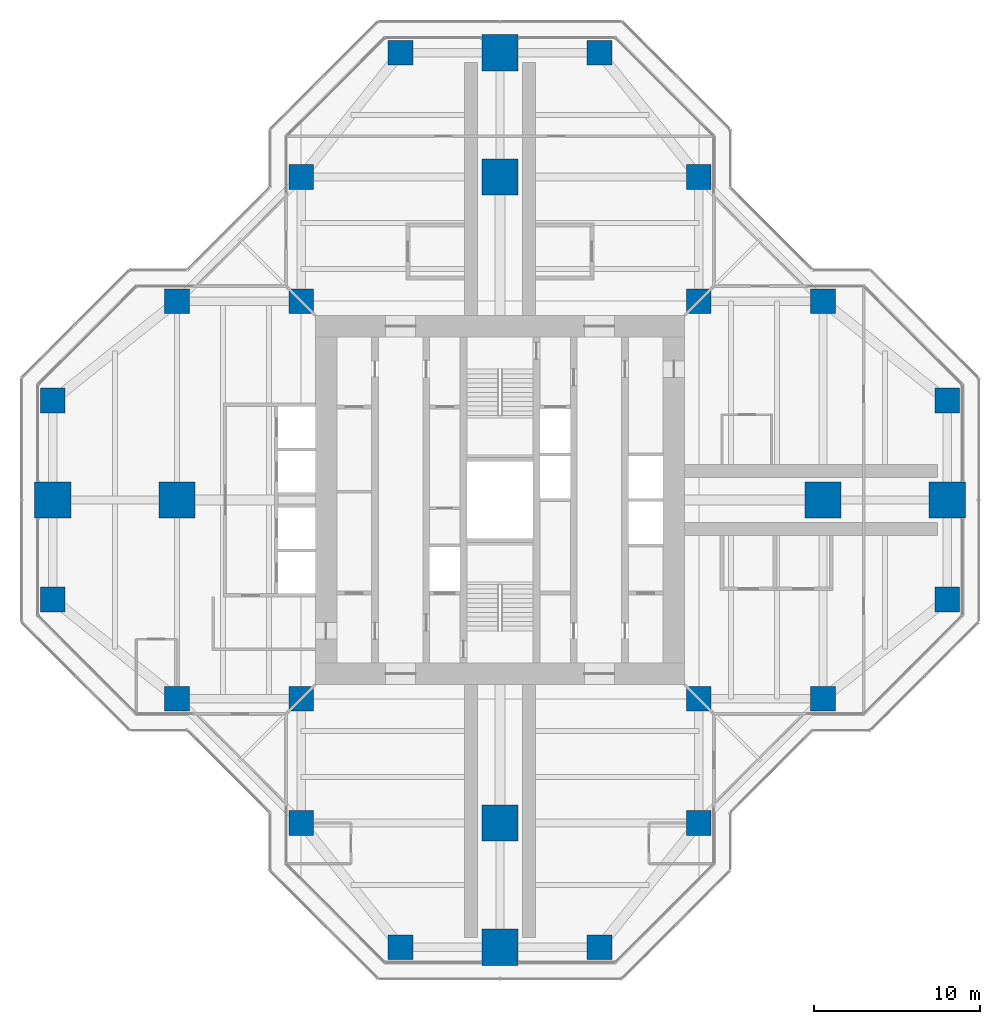
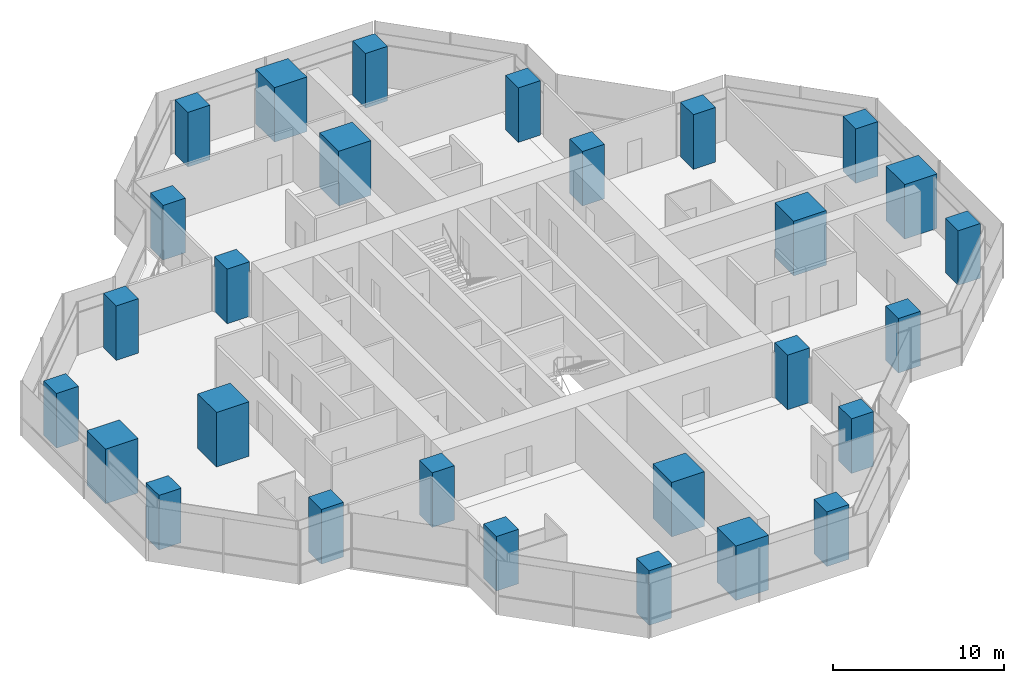
# One storey, part 1 of 17: 28 columns.
"""IFC4 building model written with IfcOpenShell, lengths in metres."""

from ifc_helpers import new_model, si_unit, direction, frame, origin, origin_2d, place, context, subcontext, project, spatial, rectangle, extrude, material, material_profile, profile_set, type_object, element, save


model = new_model("IFC4")

# Units and contexts
model_context = context("Model", 3, precision=1e-05, world=origin(), true_north=direction((0.0, 1.0)))
body_context = subcontext(model_context, "Body", "Model", "MODEL_VIEW")
ifc_project = project(units=[si_unit("LENGTHUNIT", "METRE"), si_unit("AREAUNIT", "SQUARE_METRE"), si_unit("VOLUMEUNIT", "CUBIC_METRE"), si_unit("PLANEANGLEUNIT", "RADIAN"), si_unit("MASSUNIT", "GRAM", prefix="KILO")], contexts=[model_context])

# Site, building, storey
site_placement = place(None, origin())
site = spatial("IfcSite", under=ifc_project, at=site_placement, CompositionType="ELEMENT")
building_placement = place(site_placement, origin())
building = spatial("IfcBuilding", under=site, at=building_placement, Name="Mizan Broadcast Tower", CompositionType="ELEMENT")
storey_placement = place(building_placement, frame((0.0, 0.0, 236.10009765625)))
storey = spatial("IfcBuildingStorey", under=building, at=storey_placement, Name="L55", CompositionType="ELEMENT", Elevation=236.10009765625)

# Columns
ifc_material_1 = material(Name="Concrete C70/85", Category="concrete")
ifc_material_profile_1 = material_profile(ifc_material_1, rectangle(XDim=1.5, YDim=1.5, at=origin_2d()), Name="RC 1500x1500")
ifc_profile_set_1 = profile_set([ifc_material_profile_1], Name="Concrete C70/85")
column_type_1 = type_object("IfcColumnType", Name="RC COLUMN 1500x1500 C70/85", PredefinedType="COLUMN", material=ifc_profile_set_1)
for number, where, z_axis, x_axis, name in (
    (1, (-6.0, -27.0, 0.0), (0.0, 0.0, 1.0), (1.0, 0.0, 0.0), "Column 5/B L55"),
    (2, (6.0, -27.0, 0.0), (0.0, 0.0, 1.0), (1.0, 0.0, 0.0), "Column 7/B L55"),
    (3, (-12.0, -19.5, 0.0), (0.0, 0.0, 1.0), (1.0, 0.0, 0.0), "Column 4/C L55"),
    (4, (12.0, -19.5, 0.0), (0.0, 0.0, 1.0), (1.0, 0.0, 0.0), "Column 8/C L55"),
    (5, (-19.5, -12.0, 0.0), (0.0, 0.0, 1.0), (1.0, 0.0, 0.0), "Column 3/D L55"),
    (6, (-12.0, -12.0, 0.0), (0.0, 0.0, 1.0), (1.0, 0.0, 0.0), "Column 4/D L55"),
    (7, (12.0, -12.0, 0.0), (0.0, 0.0, 1.0), (1.0, 0.0, 0.0), "Column 8/D L55"),
    (8, (19.5, -12.0, 0.0), (0.0, 0.0, 1.0), (1.0, 0.0, 0.0), "Column 9/D L55"),
    (9, (-27.0, -6.0, 0.0), (0.0, 0.0, 1.0), (1.0, 0.0, 0.0), "Column 2/E L55"),
    (10, (27.0, -6.0, 0.0), (0.0, 0.0, 1.0), (1.0, 0.0, 0.0), "Column 10/E L55"),
    (11, (-27.0, 6.0, 0.0), (0.0, 0.0, 1.0), (1.0, 0.0, 0.0), "Column 2/G L55"),
    (12, (27.0, 6.0, 0.0), (0.0, 0.0, 1.0), (1.0, 0.0, 0.0), "Column 10/G L55"),
    (13, (-19.5, 12.0, 0.0), (0.0, 0.0, 1.0), (1.0, 0.0, 0.0), "Column 3/H L55"),
    (14, (-12.0, 12.0, 0.0), (0.0, 0.0, 1.0), (1.0, 0.0, 0.0), "Column 4/H L55"),
    (15, (12.0, 12.0, 0.0), (0.0, 0.0, 1.0), (1.0, 0.0, 0.0), "Column 8/H L55"),
    (16, (19.5, 12.0, 0.0), (0.0, 0.0, 1.0), (1.0, 0.0, 0.0), "Column 9/H L55"),
    (17, (-12.0, 19.5, 0.0), (0.0, 0.0, 1.0), (1.0, 0.0, 0.0), "Column 4/J L55"),
    (18, (12.0, 19.5, 0.0), (0.0, 0.0, 1.0), (1.0, 0.0, 0.0), "Column 8/J L55"),
    (19, (-6.0, 27.0, 0.0), (0.0, 0.0, 1.0), (1.0, 0.0, 0.0), "Column 5/K L55"),
    (20, (6.0, 27.0, 0.0), (0.0, 0.0, 1.0), (1.0, 0.0, 0.0), "Column 7/K L55"),
):
    element("IfcColumn", number, at=place(storey_placement, frame(where, z_axis=z_axis, x_axis=x_axis)), inside=storey, type_object=column_type_1, Name=name, PredefinedType="COLUMN", context=body_context, shape_type="SweptSolid", body=[
        extrude(rectangle(XDim=1.5, YDim=1.5, at=origin_2d()), origin(), (0.0, 0.0, 1.0), 3.89990234375),
    ])
ifc_material_2 = material(Name="Concrete C70/85", Category="concrete")
ifc_material_profile_2 = material_profile(ifc_material_2, rectangle(XDim=2.199951171875, YDim=2.199951171875, at=origin_2d()), Name="RC 2200x2200")
ifc_profile_set_2 = profile_set([ifc_material_profile_2], Name="Concrete C70/85")
column_type_2 = type_object("IfcColumnType", Name="RC COLUMN 2200x2200 C70/85", PredefinedType="COLUMN", material=ifc_profile_set_2)
for number, where, z_axis, x_axis, name in (
    (21, (0.0, -27.0, 0.0), (0.0, 0.0, 1.0), (1.0, 0.0, 0.0), "Column 6/B L55"),
    (22, (0.0, -19.5, 0.0), (0.0, 0.0, 1.0), (1.0, 0.0, 0.0), "Column 6/C L55"),
    (23, (-27.0, 0.0, 0.0), (0.0, 0.0, 1.0), (1.0, 0.0, 0.0), "Column 2/F L55"),
    (24, (-19.5, 0.0, 0.0), (0.0, 0.0, 1.0), (1.0, 0.0, 0.0), "Column 3/F L55"),
    (25, (19.5, 0.0, 0.0), (0.0, 0.0, 1.0), (1.0, 0.0, 0.0), "Column 9/F L55"),
    (26, (27.0, 0.0, 0.0), (0.0, 0.0, 1.0), (1.0, 0.0, 0.0), "Column 10/F L55"),
    (27, (0.0, 19.5, 0.0), (0.0, 0.0, 1.0), (1.0, 0.0, 0.0), "Column 6/J L55"),
    (28, (0.0, 27.0, 0.0), (0.0, 0.0, 1.0), (1.0, 0.0, 0.0), "Column 6/K L55"),
):
    element("IfcColumn", number, at=place(storey_placement, frame(where, z_axis=z_axis, x_axis=x_axis)), inside=storey, type_object=column_type_2, Name=name, PredefinedType="COLUMN", context=body_context, shape_type="SweptSolid", body=[
        extrude(rectangle(XDim=2.199951171875, YDim=2.199951171875, at=origin_2d()), origin(), (0.0, 0.0, 1.0), 3.89990234375),
    ])

save(model, "model.ifc")
